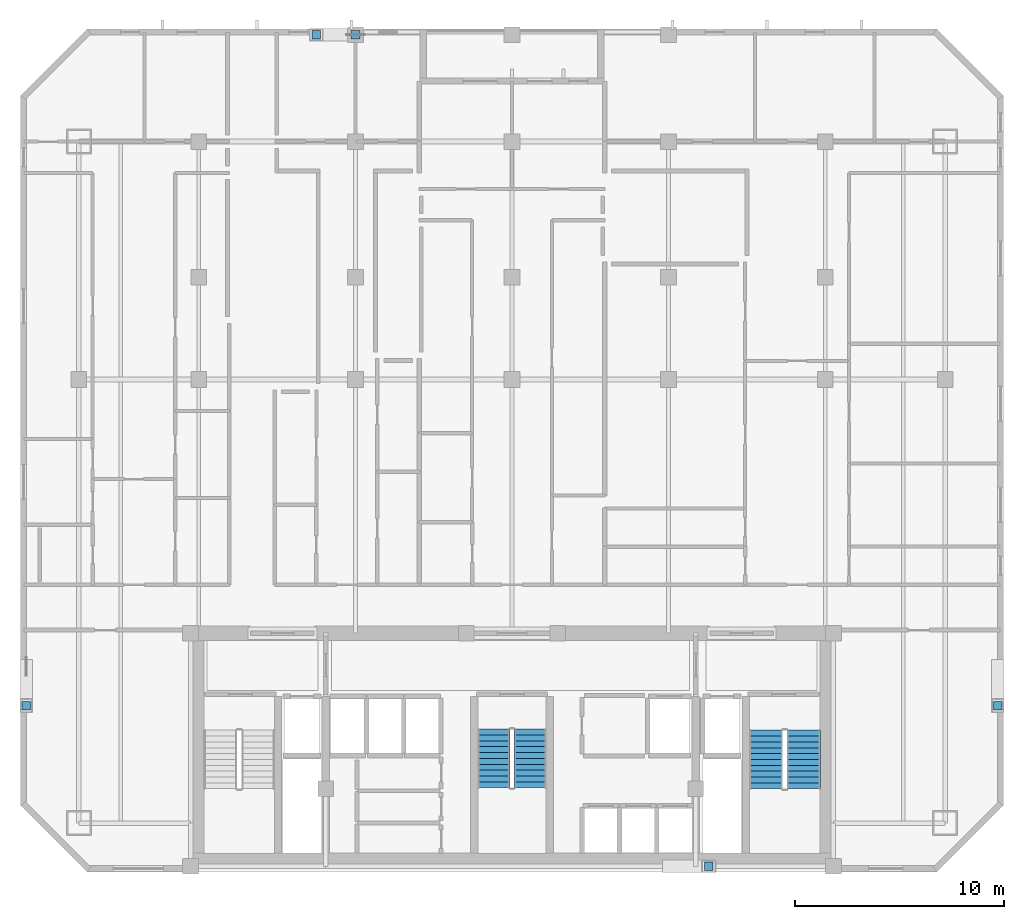
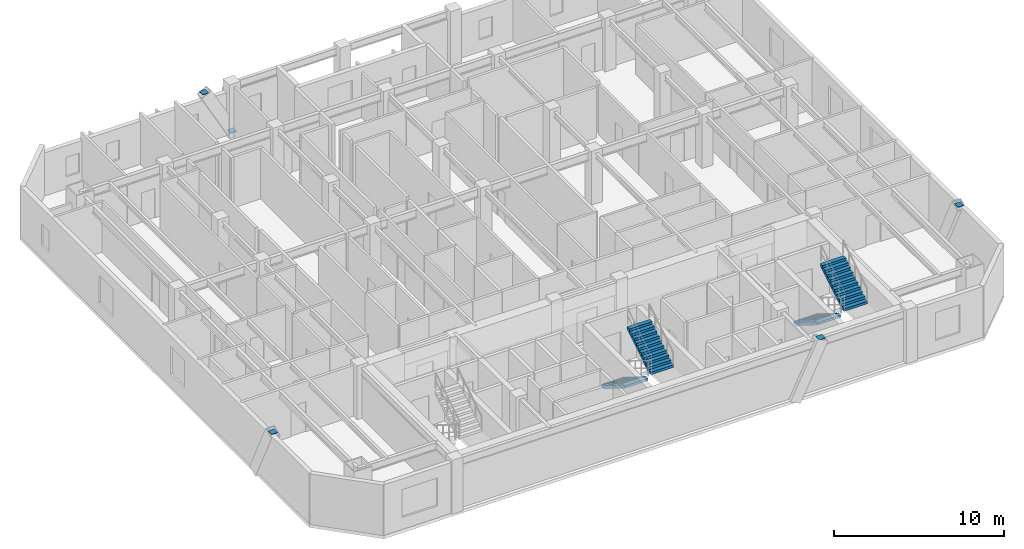
# One storey, part 8 of 9: 5 discrete accessories, 4 stair flights, 2 elements without a shape of their own.
"""IFC4 building model written with IfcOpenShell, lengths in metres."""

from ifc_helpers import new_model, si_unit, direction, frame, origin, origin_2d, place, context, subcontext, project, spatial, polyline, rectangle, outline, extrude, material, type_object, element, aggregate, save


model = new_model("IFC4")

# Units and contexts
model_context = context("Model", 3, precision=1e-05, world=origin(), true_north=direction((0.0, 1.0)))
body_context = subcontext(model_context, "Body", "Model", "MODEL_VIEW")
ifc_project = project(units=[si_unit("LENGTHUNIT", "METRE"), si_unit("AREAUNIT", "SQUARE_METRE"), si_unit("VOLUMEUNIT", "CUBIC_METRE"), si_unit("PLANEANGLEUNIT", "RADIAN"), si_unit("MASSUNIT", "GRAM", prefix="KILO")], contexts=[model_context])

# Site, building, storey
site_placement = place(None, origin())
site = spatial("IfcSite", under=ifc_project, at=site_placement, CompositionType="ELEMENT")
building_placement = place(site_placement, origin())
building = spatial("IfcBuilding", under=site, at=building_placement, Name="Ventersveld Concourse Tower", CompositionType="ELEMENT")
storey_placement = place(building_placement, frame((0.0, 0.0, 172.14990234375)))
storey = spatial("IfcBuildingStorey", under=building, at=storey_placement, Name="L42", CompositionType="ELEMENT", Elevation=172.14990234375)

# Stair, stair flights
ifc_material_1 = material(Name="Concrete C50/60", Category="concrete")
stair_type_1 = type_object("IfcStairType", Name="ST-DOG-155", PredefinedType="HALF_TURN_STAIR", material=ifc_material_1)
stair_1_placement = place(storey_placement, origin())
stair_1 = element("IfcStair", 1, at=stair_1_placement, inside=storey, type_object=stair_type_1, Name="L42 Protected Central Core Escape Stair ST-03", PredefinedType="HALF_TURN_STAIR")
stair_flight_type_1 = type_object("IfcStairFlightType", Name="STF-RC-155", PredefinedType="STRAIGHT", material=ifc_material_1)
stair_flight_1_placement = place(storey_placement, frame((27.875, 6.85009765625, 0.0), z_axis=(0.0, 0.0, 1.0), x_axis=(0.0, -1.0, 0.0)))
stair_flight_1 = element("IfcStairFlight", 2, at=stair_flight_1_placement, type_object=stair_flight_type_1, Name="ST-03 flight 1", NumberOfRisers=11, NumberOfTreads=10, PredefinedType="STRAIGHT", RiserHeight=0.175, TreadLength=0.28, context=body_context, shape_type="SweptSolid", body=[
    extrude(outline(polyline([(0.0, 0.0), (0.0, 0.175048828125), (0.280029296875, 0.175048828125), (0.280029296875, 0.35009765625), (0.56005859375, 0.35009765625), (0.56005859375, 0.52490234375), (0.840087890625, 0.52490234375), (0.840087890625, 0.699951171875), (1.1201171875, 0.699951171875), (1.1201171875, 0.875), (1.39990234375, 0.875), (1.39990234375, 1.050048828125), (1.679931640625, 1.050048828125), (1.679931640625, 1.22509765625), (1.9599609375, 1.22509765625), (1.9599609375, 1.39990234375), (2.239990234375, 1.39990234375), (2.239990234375, 1.574951171875), (2.52001953125, 1.574951171875), (2.52001953125, 1.75), (2.800048828125, 1.75), (2.800048828125, 1.925048828125), (2.800048828125, 1.5732421875), (0.28271484375, 0.0), (0.0, 0.0)])), frame((0.0, 0.77490234375, 0.0), z_axis=(0.0, -1.0, 0.0), x_axis=(1.0, 0.0, 0.0)), (0.0, 0.0, 1.0), 1.550048828125),
])
stair_flight_2_placement = place(storey_placement, frame((29.625, 4.050048828125, 1.925048828125), z_axis=(0.0, 0.0, 1.0), x_axis=(0.0, 1.0, 0.0)))
stair_flight_2 = element("IfcStairFlight", 3, at=stair_flight_2_placement, type_object=stair_flight_type_1, Name="ST-03 flight 2", NumberOfRisers=11, NumberOfTreads=10, PredefinedType="STRAIGHT", RiserHeight=0.175, TreadLength=0.28, context=body_context, shape_type="SweptSolid", body=[
    extrude(outline(polyline([(0.0, 0.0), (0.0, 0.175048828125), (0.280029296875, 0.175048828125), (0.280029296875, 0.35009765625), (0.56005859375, 0.35009765625), (0.56005859375, 0.52490234375), (0.840087890625, 0.52490234375), (0.840087890625, 0.699951171875), (1.1201171875, 0.699951171875), (1.1201171875, 0.875), (1.39990234375, 0.875), (1.39990234375, 1.050048828125), (1.679931640625, 1.050048828125), (1.679931640625, 1.22509765625), (1.9599609375, 1.22509765625), (1.9599609375, 1.39990234375), (2.239990234375, 1.39990234375), (2.239990234375, 1.574951171875), (2.52001953125, 1.574951171875), (2.52001953125, 1.75), (2.800048828125, 1.75), (2.800048828125, 1.925048828125), (2.800048828125, 1.5732421875), (0.28271484375, 0.0), (0.0, 0.0)])), frame((0.0, 0.77490234375, 0.0), z_axis=(0.0, -1.0, 0.0), x_axis=(1.0, 0.0, 0.0)), (0.0, 0.0, 1.0), 1.550048828125),
])
aggregate(stair_1, [stair_flight_1, stair_flight_2])

stair_type_2 = type_object("IfcStairType", Name="ST-DOG-160", PredefinedType="HALF_TURN_STAIR", material=ifc_material_1)
stair_2_placement = place(storey_placement, origin())
stair_2 = element("IfcStair", 4, at=stair_2_placement, inside=storey, type_object=stair_type_2, Name="L42 Protected Tower Escape Stair ST-02", PredefinedType="HALF_TURN_STAIR")
stair_flight_type_2 = type_object("IfcStairFlightType", Name="STF-RC-160", PredefinedType="STRAIGHT", material=ifc_material_1)
stair_flight_3_placement = place(storey_placement, frame((40.919921875, 6.800048828125, 0.0), z_axis=(0.0, 0.0, 1.0), x_axis=(0.0, -1.0, 0.0)))
stair_flight_3 = element("IfcStairFlight", 5, at=stair_flight_3_placement, type_object=stair_flight_type_2, Name="ST-02 flight 1", NumberOfRisers=11, NumberOfTreads=10, PredefinedType="STRAIGHT", RiserHeight=0.175, TreadLength=0.28, context=body_context, shape_type="SweptSolid", body=[
    extrude(outline(polyline([(0.0, 0.0), (0.0, 0.175048828125), (0.280029296875, 0.175048828125), (0.280029296875, 0.35009765625), (0.56005859375, 0.35009765625), (0.56005859375, 0.52490234375), (0.840087890625, 0.52490234375), (0.840087890625, 0.699951171875), (1.1201171875, 0.699951171875), (1.1201171875, 0.875), (1.39990234375, 0.875), (1.39990234375, 1.050048828125), (1.679931640625, 1.050048828125), (1.679931640625, 1.22509765625), (1.9599609375, 1.22509765625), (1.9599609375, 1.39990234375), (2.239990234375, 1.39990234375), (2.239990234375, 1.574951171875), (2.52001953125, 1.574951171875), (2.52001953125, 1.75), (2.800048828125, 1.75), (2.800048828125, 1.925048828125), (2.800048828125, 1.5732421875), (0.28271484375, 0.0), (0.0, 0.0)])), frame((0.0, 0.800048828125, 0.0), z_axis=(0.0, -1.0, 0.0), x_axis=(1.0, 0.0, 0.0)), (0.0, 0.0, 1.0), 1.60009765625),
])
stair_flight_4_placement = place(storey_placement, frame((42.719970703125, 4.0, 1.925048828125), z_axis=(0.0, 0.0, 1.0), x_axis=(0.0, 1.0, 0.0)))
stair_flight_4 = element("IfcStairFlight", 6, at=stair_flight_4_placement, type_object=stair_flight_type_2, Name="ST-02 flight 2", NumberOfRisers=11, NumberOfTreads=10, PredefinedType="STRAIGHT", RiserHeight=0.175, TreadLength=0.28, context=body_context, shape_type="SweptSolid", body=[
    extrude(outline(polyline([(0.0, 0.0), (0.0, 0.175048828125), (0.280029296875, 0.175048828125), (0.280029296875, 0.35009765625), (0.56005859375, 0.35009765625), (0.56005859375, 0.52490234375), (0.840087890625, 0.52490234375), (0.840087890625, 0.699951171875), (1.1201171875, 0.699951171875), (1.1201171875, 0.875), (1.39990234375, 0.875), (1.39990234375, 1.050048828125), (1.679931640625, 1.050048828125), (1.679931640625, 1.22509765625), (1.9599609375, 1.22509765625), (1.9599609375, 1.39990234375), (2.239990234375, 1.39990234375), (2.239990234375, 1.574951171875), (2.52001953125, 1.574951171875), (2.52001953125, 1.75), (2.800048828125, 1.75), (2.800048828125, 1.925048828125), (2.800048828125, 1.5732421875), (0.28271484375, 0.0), (0.0, 0.0)])), frame((0.0, 0.800048828125, 0.0), z_axis=(0.0, -1.0, 0.0), x_axis=(1.0, 0.0, 0.0)), (0.0, 0.0, 1.0), 1.60009765625),
])
aggregate(stair_2, [stair_flight_3, stair_flight_4])

# Discrete accessories
ifc_material_2 = material(Name="Structural steel S355J2", Category="steel")
discrete_accessory_type = type_object("IfcDiscreteAccessoryType", Name="CONN-BRACE-ECP1", PredefinedType="BRACKET", material=ifc_material_2)
for number, where, z_axis, x_axis, name in (
    (7, (21.25, 40.1201171875, 0.2001953125), (0.0, 0.0, 1.0), (1.0, 0.0, 0.0), "L42 Steel Brace End Connection Plate ECP1-0351"),
    (8, (19.375, 40.1201171875, 3.610107421875), (0.0, 0.0, 1.0), (1.0, 0.0, 0.0), "L42 Steel Brace End Connection Plate ECP1-0352"),
    (9, (38.175048828125, 0.280029296875, 3.610107421875), (0.0, 0.0, 1.0), (1.0, 0.0, 0.0), "L42 Steel Brace End Connection Plate ECP1-0356"),
    (10, (5.47998046875, 7.97509765625, 3.610107421875), (0.0, 0.0, 1.0), (1.0, 0.0, 0.0), "L42 Steel Brace End Connection Plate ECP1-0360"),
    (11, (52.02001953125, 7.97509765625, 3.610107421875), (0.0, 0.0, 1.0), (1.0, 0.0, 0.0), "L42 Steel Brace End Connection Plate ECP1-0364"),
):
    element("IfcDiscreteAccessory", number, at=place(storey_placement, frame(where, z_axis=z_axis, x_axis=x_axis)), inside=storey, type_object=discrete_accessory_type, Name=name, PredefinedType="BRACKET", context=body_context, shape_type="SweptSolid", body=[
        extrude(rectangle(XDim=0.419921875, YDim=0.419921875, at=origin_2d()), origin(), (0.0, 0.0, 1.0), 0.0400390625),
    ])

save(model, "model.ifc")
